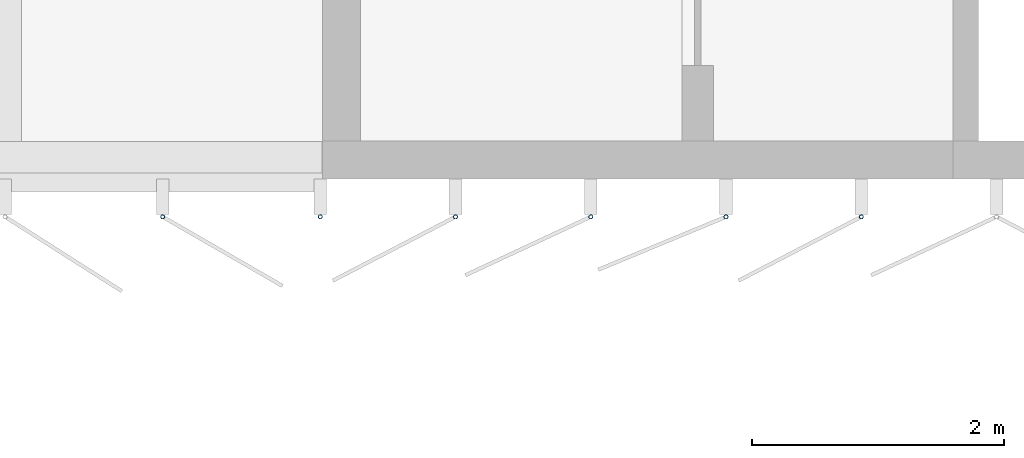
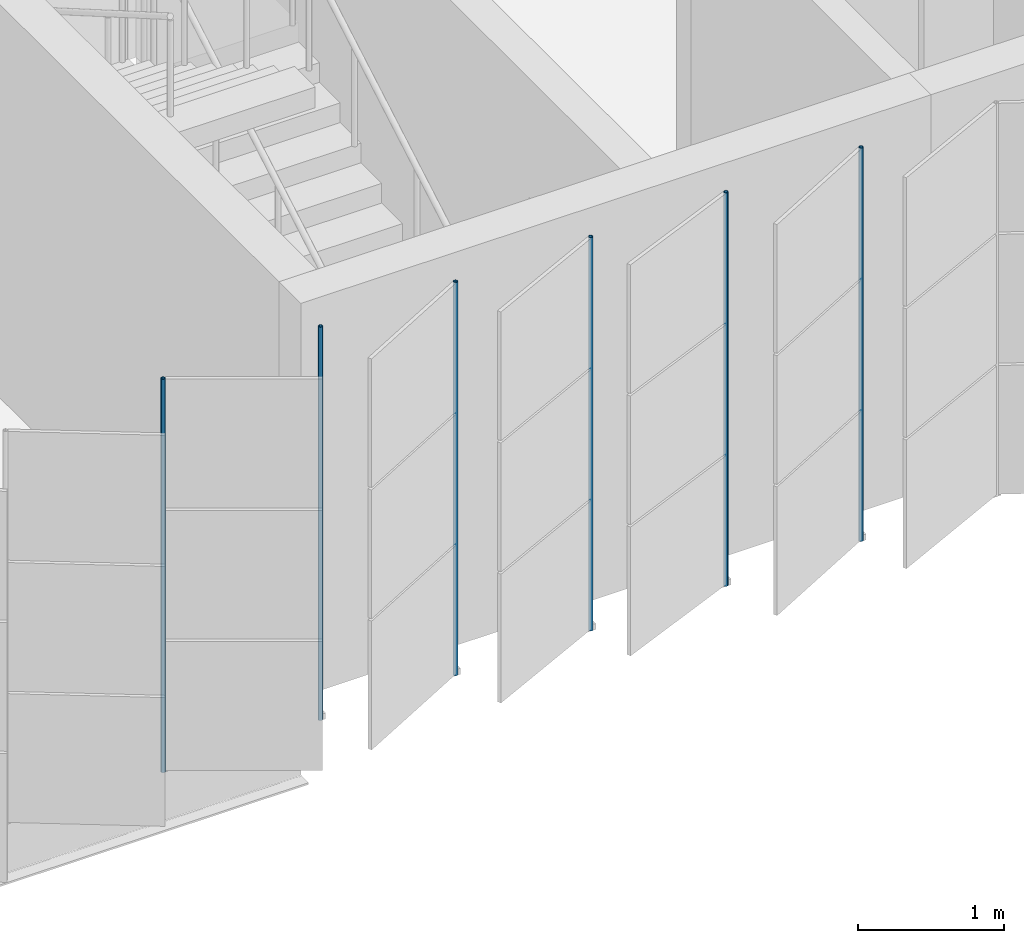
# One storey, part 92 of 214: 6 discrete accessories.
"""IFC4 building model written with IfcOpenShell, lengths in metres."""

import ifcopenshell
import ifcopenshell.guid

model = None  # the IFC model being written
_history = None  # IfcOwnerHistory: only IFC2X3 demands one
_inside = {}  # id of a spatial element -> (the spatial element, [elements in it])
_under = {}  # id of a project, library or spatial element -> (it, [spatial elements below it])
_declared = {}  # id of a project -> (the project, [libraries it declares])
_typed = {}  # id of a type object -> (the type object, [elements of that type])
_made_of = {}  # id of a material, layer set ... -> (it, [elements and type objects made of it])


def new_model(schema):
    """Start an empty IFC model of exactly this schema.

    Asked for "IFC4X3", IfcOpenShell would pick the latest addendum, in which some entities
    have other attributes; the version numbers below select the first issue.
    IFC2X3 requires an IfcOwnerHistory on every rooted entity: one is made here for all.
    """
    global model, _history
    if schema == "IFC4X3":
        model = ifcopenshell.file(schema_version=(4, 3, 0, 0))
    else:
        model = ifcopenshell.file(schema=schema)
    _inside.clear()
    _under.clear()
    _declared.clear()
    _typed.clear()
    _made_of.clear()
    _history = None
    if model.schema == "IFC2X3":
        org = make("IfcOrganization", Name="unknown")
        user = make(
            "IfcPersonAndOrganization",
            ThePerson=make("IfcPerson", FamilyName="unknown"),
            TheOrganization=org,
        )
        app = make(
            "IfcApplication",
            ApplicationDeveloper=org,
            Version="unknown",
            ApplicationFullName="unknown",
            ApplicationIdentifier="unknown",
        )
        _history = make(
            "IfcOwnerHistory",
            OwningUser=user,
            OwningApplication=app,
            ChangeAction="ADDED",
            CreationDate=0,
        )
    return model


def make(cls, **values):
    """One entity of the class cls with the attributes given. An attribute that is None is left unset."""
    return model.create_entity(
        cls, **{name: value for name, value in values.items() if value is not None}
    )


def rooted(cls, **values):
    """An entity with a GlobalId (a new one), such as an element, a storey or a relation."""
    return make(cls, GlobalId=ifcopenshell.guid.new(), OwnerHistory=_history, **values)


def si_unit(unit_type, name, prefix=None):
    """IfcSIUnit, for example si_unit("LENGTHUNIT", "METRE", prefix="MILLI")."""
    return make("IfcSIUnit", UnitType=unit_type, Prefix=prefix, Name=name)


def assignment(units):
    """IfcUnitAssignment: the units of a project."""
    return None if units is None else make("IfcUnitAssignment", Units=units)


def point(xyz):
    """IfcCartesianPoint."""
    return None if xyz is None else make("IfcCartesianPoint", Coordinates=xyz)


def direction(xyz):
    """IfcDirection."""
    return None if xyz is None else make("IfcDirection", DirectionRatios=xyz)


def frame(location, z_axis=None, x_axis=None):
    """IfcAxis2Placement3D, a coordinate frame: its origin and axes. An axis left out is left unset."""
    return make(
        "IfcAxis2Placement3D",
        Location=point(location),
        Axis=direction(z_axis),
        RefDirection=direction(x_axis),
    )


def frame_2d(location, x_axis=None):
    """IfcAxis2Placement2D, a coordinate frame in the plane: its origin and x axis."""
    return make(
        "IfcAxis2Placement2D", Location=point(location), RefDirection=direction(x_axis)
    )


def origin():
    """The frame at (0, 0, 0) with its axes left unset."""
    return frame((0.0, 0.0, 0.0))


def origin_2d():
    """The frame at (0, 0) in the plane with its x axis left unset."""
    return frame_2d((0.0, 0.0))


def place(relative_to, where):
    """IfcLocalPlacement: puts the frame where relative to a parent placement (None: the world)."""
    return make(
        "IfcLocalPlacement", PlacementRelTo=relative_to, RelativePlacement=where
    )


def context(
    kind, dimensions, precision=None, world=None, true_north=None, identifier=None
):
    """IfcGeometricRepresentationContext, for example the 3D "Model" context."""
    return make(
        "IfcGeometricRepresentationContext",
        ContextIdentifier=identifier,
        ContextType=kind,
        CoordinateSpaceDimension=dimensions,
        Precision=precision,
        WorldCoordinateSystem=world,
        TrueNorth=true_north,
    )


def subcontext(parent, identifier, kind, view, scale=None):
    """IfcGeometricRepresentationSubContext, for example "Body" below "Model"."""
    return make(
        "IfcGeometricRepresentationSubContext",
        ContextIdentifier=identifier,
        ContextType=kind,
        ParentContext=parent,
        TargetScale=scale,
        TargetView=view,
    )


def project(units=None, contexts=None):
    """IfcProject with its units and contexts."""
    return rooted(
        "IfcProject",
        Name="project",
        RepresentationContexts=contexts,
        UnitsInContext=assignment(units),
    )


def spatial(cls, under=None, at=None, **own):
    """A site, building, storey or space (cls), placed at a placement, below another one or the project."""
    s = rooted(cls, ObjectPlacement=at, **own)
    if under is not None:
        _under.setdefault(under.id(), (under, []))[1].append(s)
    return s


def profile(cls, at=None, kind="AREA", **sizes):
    """A parametric profile (cls). Its sizes go by their IFC names, for example OverallWidth=200.0."""
    return make(cls, ProfileType=kind, Position=at, **sizes)


def hollow_circle(**sizes):
    """IfcCircleHollowProfileDef."""
    return profile("IfcCircleHollowProfileDef", **sizes)


def extrude(swept, where, along, depth):
    """IfcExtrudedAreaSolid: the profile swept, set in the frame where, extruded along a direction by depth."""
    return make(
        "IfcExtrudedAreaSolid",
        SweptArea=swept,
        Position=where,
        ExtrudedDirection=direction(along),
        Depth=depth,
    )


def shape(context_of_items, identifier, shape_type, items):
    """IfcShapeRepresentation: the items that make up one representation, for example the "Body"."""
    return make(
        "IfcShapeRepresentation",
        ContextOfItems=context_of_items,
        RepresentationIdentifier=identifier,
        RepresentationType=shape_type,
        Items=items,
    )


def material(Name=None, Category=None):
    """IfcMaterial."""
    return make("IfcMaterial", Name=Name, Category=Category)


def material_profile(
    of_material, cross_section, Name=None, Category=None, Priority=None
):
    """IfcMaterialProfile: a cross section and its material."""
    return make(
        "IfcMaterialProfile",
        Name=Name,
        Material=of_material,
        Profile=cross_section,
        Priority=Priority,
        Category=Category,
    )


def profile_set(profiles, Name=None, composite=None):
    """IfcMaterialProfileSet."""
    return make(
        "IfcMaterialProfileSet",
        Name=Name,
        MaterialProfiles=profiles,
        CompositeProfile=composite,
    )


def made_of(thing, what):
    """Note that an element or type object is made of a material, layer set ...; save() writes the relation."""
    if what is not None:
        _made_of.setdefault(what.id(), (what, []))[1].append(thing)
    return thing


def type_object(cls, material=None, **own):
    """A type object (cls), such as IfcWallType, which elements share."""
    return made_of(rooted(cls, **own), material)


def element(
    cls,
    number,
    at=None,
    inside=None,
    cuts=None,
    type_object=None,
    material=None,
    context=None,
    identifier="Body",
    shape_type=None,
    held_by="IfcProductDefinitionShape",
    body=None,
    shapes=None,
    **own,
):
    """One element of the class cls, such as IfcWall. Its Tag is "e" and its number.

    at: its placement. inside: the storey or other place that contains it. cuts: it is an
    opening in that element (IfcRelVoidsElement). A single representation is given by context,
    identifier, shape_type and body (its items); several are given by shapes. held_by: the class
    of the entity that holds the representations. save() writes the other relations.
    """
    e = rooted(cls, Tag="e%d" % number, ObjectPlacement=at, **own)
    if body is not None:
        shapes = [shape(context, identifier, shape_type, body)]
    if shapes is not None:
        e.Representation = make(held_by, Representations=shapes)
    if inside is not None:
        _inside.setdefault(inside.id(), (inside, []))[1].append(e)
    if cuts is not None:
        rooted(
            "IfcRelVoidsElement", RelatingBuildingElement=cuts, RelatedOpeningElement=e
        )
    if type_object is not None:
        _typed.setdefault(type_object.id(), (type_object, []))[1].append(e)
    return made_of(e, material)


def aggregate(whole, parts):
    """IfcRelAggregates: a whole, such as a stair, and the parts it consists of."""
    return rooted("IfcRelAggregates", RelatingObject=whole, RelatedObjects=parts)


def save(model, path):
    """Write the relations noted so far, then the file.

    IfcRelAggregates (storeys below a building ...), IfcRelContainedInSpatialStructure (elements
    in a storey), IfcRelDefinesByType, IfcRelAssociatesMaterial and IfcRelDeclares: one each for
    every whole, place, type object, material and project.
    """
    for whole, parts in _under.values():
        aggregate(whole, parts)
    for where, things in _inside.values():
        rooted(
            "IfcRelContainedInSpatialStructure",
            RelatedElements=things,
            RelatingStructure=where,
        )
    for kind, things in _typed.values():
        rooted("IfcRelDefinesByType", RelatedObjects=things, RelatingType=kind)
    for what, things in _made_of.values():
        rooted("IfcRelAssociatesMaterial", RelatedObjects=things, RelatingMaterial=what)
    for by, libraries in _declared.values():
        rooted("IfcRelDeclares", RelatingContext=by, RelatedDefinitions=libraries)
    model.write(path)


model = new_model("IFC4")

# Units and contexts
model_context = context("Model", 3, precision=1e-05, world=origin(), true_north=direction((0.0, 1.0)))
body_context = subcontext(model_context, "Body", "Model", "MODEL_VIEW")
ifc_project = project(units=[si_unit("LENGTHUNIT", "METRE"), si_unit("AREAUNIT", "SQUARE_METRE"), si_unit("VOLUMEUNIT", "CUBIC_METRE"), si_unit("PLANEANGLEUNIT", "RADIAN"), si_unit("MASSUNIT", "GRAM", prefix="KILO")], contexts=[model_context])

# Site, building, storey
site_placement = place(None, origin())
site = spatial("IfcSite", under=ifc_project, at=site_placement, CompositionType="ELEMENT")
building_placement = place(site_placement, origin())
building = spatial("IfcBuilding", under=site, at=building_placement, Name="Parallax Yard Mobility Hub", CompositionType="ELEMENT")
storey_placement = place(building_placement, frame((0.0, 0.0, 3.300048828125)))
storey = spatial("IfcBuildingStorey", under=building, at=storey_placement, Name="L01", CompositionType="ELEMENT", Elevation=3.300048828125)

# Discrete accessories
ifc_material = material(Name="Steel ASTM A500 Gr C, hot-dip galvanised", Category="steel")
ifc_material_profile = material_profile(ifc_material, hollow_circle(Radius=0.016845703125, WallThickness=0.003173828125, at=origin_2d()), Name="CHS 33.7x3.2")
ifc_profile_set = profile_set([ifc_material_profile], Name="Steel ASTM A500 Gr C, hot-dip galvanised")
discrete_accessory_type = type_object("IfcDiscreteAccessoryType", Name="Hinge post CHS 33.7x3.2", PredefinedType="BRACKET", material=ifc_profile_set)
for number, where, z_axis, x_axis, name in (
    (1, (66.233642578125, 112.199951171875, 0.0), (0.0, 0.0, 1.0), (1.0, 0.0, 0.0), "Hinge post bay 5.6 level L01"),
    (2, (67.48291015625, 112.199951171875, 0.0), (0.0, 0.0, 1.0), (1.0, 0.0, 0.0), "Hinge post bay 6.1 level L01"),
    (3, (68.55517578125, 112.199951171875, 0.0), (0.0, 0.0, 1.0), (1.0, 0.0, 0.0), "Hinge post bay 6.2 level L01"),
    (4, (69.627197265625, 112.199951171875, 0.0), (0.0, 0.0, 1.0), (1.0, 0.0, 0.0), "Hinge post bay 6.3 level L01"),
    (5, (70.699462890625, 112.199951171875, 0.0), (0.0, 0.0, 1.0), (1.0, 0.0, 0.0), "Hinge post bay 6.4 level L01"),
    (6, (71.771728515625, 112.199951171875, 0.0), (0.0, 0.0, 1.0), (1.0, 0.0, 0.0), "Hinge post bay 6.5 level L01"),
):
    element("IfcDiscreteAccessory", number, at=place(storey_placement, frame(where, z_axis=z_axis, x_axis=x_axis)), inside=storey, type_object=discrete_accessory_type, Name=name, PredefinedType="BRACKET", context=body_context, shape_type="SweptSolid", body=[
        extrude(hollow_circle(Radius=0.016845703125, WallThickness=0.003173828125, at=origin_2d()), origin(), (0.0, 0.0, 1.0), 3.300048828125),
    ])

save(model, "model.ifc")
